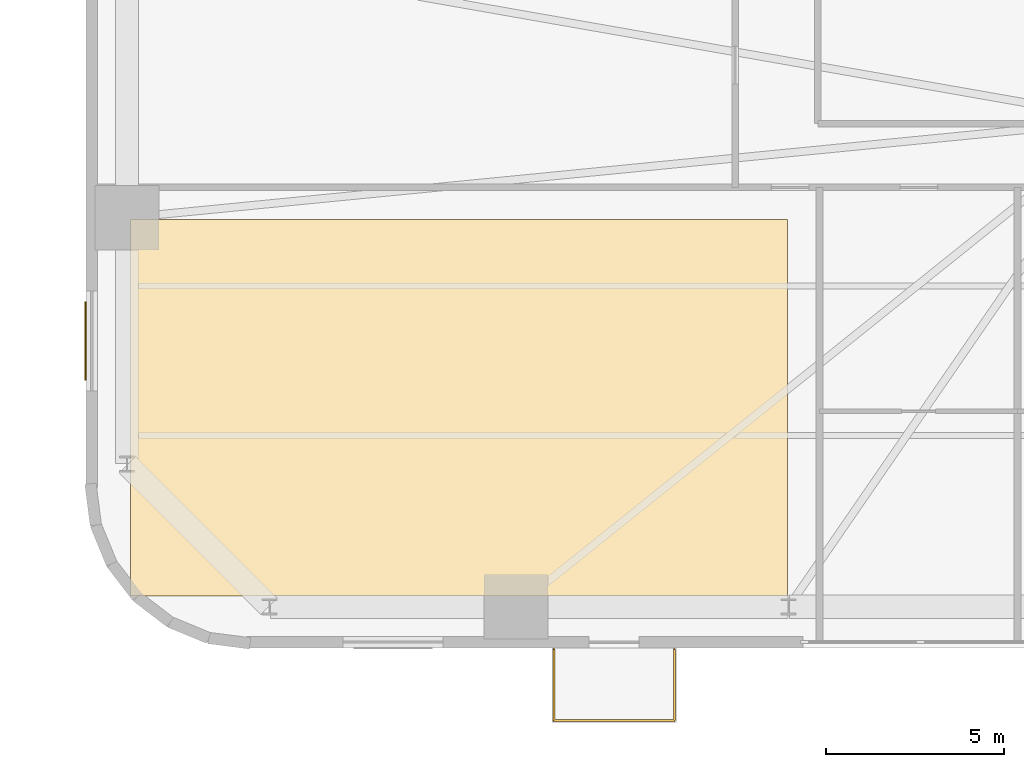
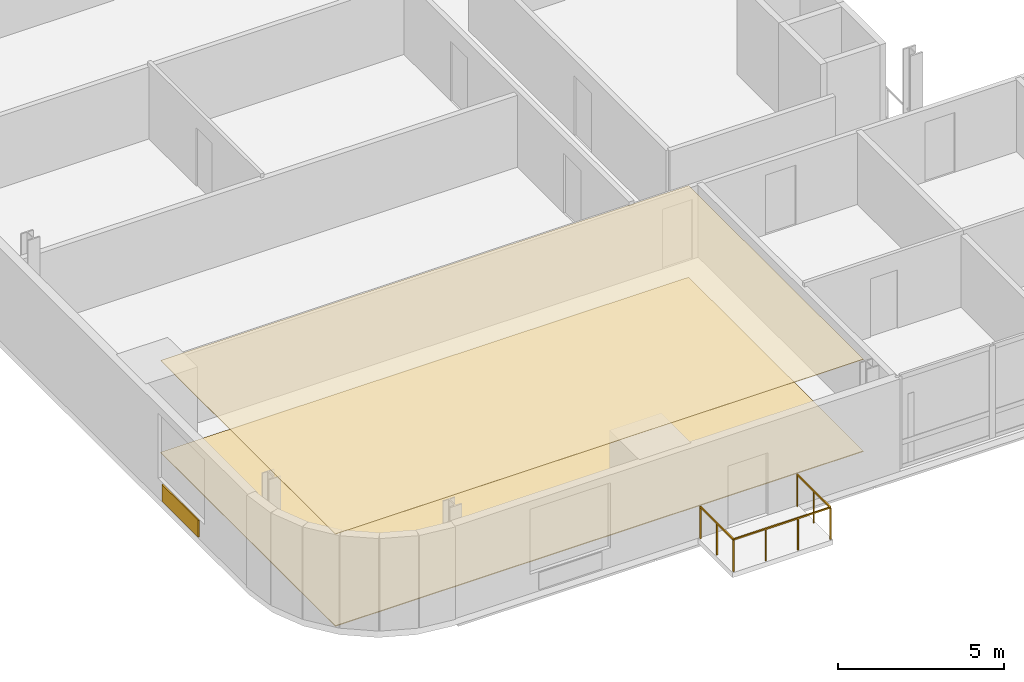
# One storey, part 10 of 13: 3 coverings, 1 railing.
"""IFC4 building model written with IfcOpenShell, lengths in metres."""

from ifc_helpers import new_model, si_unit, direction, frame, origin, origin_2d, place, context, subcontext, project, spatial, polyline, rectangle, outline, extrude, source, transform, mapped, material, layer, layer_set, type_object, element, save


model = new_model("IFC4")

# Units and contexts
model_context = context("Model", 3, precision=1e-05, world=origin(), true_north=direction((0.0, 1.0)))
body_context = subcontext(model_context, "Body", "Model", "MODEL_VIEW")
ifc_project = project(units=[si_unit("LENGTHUNIT", "METRE"), si_unit("AREAUNIT", "SQUARE_METRE"), si_unit("VOLUMEUNIT", "CUBIC_METRE"), si_unit("PLANEANGLEUNIT", "RADIAN"), si_unit("MASSUNIT", "GRAM", prefix="KILO")], contexts=[model_context])

# Site, building, storey
site_placement = place(None, origin())
site = spatial("IfcSite", under=ifc_project, at=site_placement, CompositionType="ELEMENT")
building_placement = place(site_placement, origin())
building = spatial("IfcBuilding", under=site, at=building_placement, Name="Vardaveli Station Tower", CompositionType="ELEMENT")
storey_placement = place(building_placement, frame((0.0, 0.0, 71.39990234375)))
storey = spatial("IfcBuildingStorey", under=building, at=storey_placement, Name="L18", CompositionType="ELEMENT", Elevation=71.39990234375)

# Coverings
ifc_material_1 = material(Name="Perforated acoustic mineral ceiling")
ifc_layer_1 = layer(ifc_material_1, 0.02001953125, Name="Perforated acoustic mineral ceiling")
ifc_layer_set_1 = layer_set([ifc_layer_1], Name="Perforated acoustic mineral ceiling")
covering_type_1 = type_object("IfcCoveringType", Name="COV-CEIL-AC20", PredefinedType="CEILING", material=ifc_layer_set_1)
covering_1_placement = place(storey_placement, frame((0.0, 0.0, 3.39501953125)))
element("IfcCovering", 1, at=covering_1_placement, inside=storey, type_object=covering_type_1, Name="CEIL-L18-1", PredefinedType="CEILING", context=body_context, shape_type="SweptSolid", body=[
    extrude(outline(polyline([(3.35009765625, 3.25), (21.77001953125, 3.25), (21.77001953125, 13.81005859375), (3.35009765625, 13.81005859375), (3.35009765625, 3.25)])), origin(), (0.0, 0.0, 1.0), 0.02001953125),
])
ifc_material_2 = material(Name="Honed Caucasian basalt and travertine flooring", Category="masonry")
ifc_layer_2 = layer(ifc_material_2, 0.030029296875, Name="Honed Caucasian basalt and travertine flooring")
ifc_layer_set_2 = layer_set([ifc_layer_2], Name="Honed Caucasian basalt and travertine flooring")
covering_type_2 = type_object("IfcCoveringType", Name="COV-FLOOR-ST30", PredefinedType="FLOORING", material=ifc_layer_set_2)
covering_2_placement = place(storey_placement, origin())
element("IfcCovering", 2, at=covering_2_placement, inside=storey, type_object=covering_type_2, Name="FLR-L18-1", PredefinedType="FLOORING", context=body_context, shape_type="SweptSolid", body=[
    extrude(outline(polyline([(3.35009765625, 3.25), (21.77001953125, 3.25), (21.77001953125, 13.81005859375), (3.35009765625, 13.81005859375), (3.35009765625, 3.25)])), origin(), (0.0, 0.0, 1.0), 0.030029296875),
])
ifc_material_3 = material(Name="Ventilated honed travertine stone cladding", Category="masonry")
ifc_layer_3 = layer(ifc_material_3, 0.044921875, Name="Ventilated honed travertine stone cladding")
ifc_layer_set_3 = layer_set([ifc_layer_3], Name="Ventilated honed travertine stone cladding")
covering_type_3 = type_object("IfcCoveringType", Name="COV-CLAD-TR45", PredefinedType="CLADDING", material=ifc_layer_set_3)
shared_shape_1 = source(origin(), body_context, "Body", "SweptSolid", [
    extrude(rectangle(XDim=2.199951171875, YDim=0.044921875, at=origin_2d()), origin(), (0.0, 0.0, 1.0), 0.6201171875),
])
covering_3_placement = place(storey_placement, frame((2.08544921875, 10.405029296875, 0.070068359375), z_axis=(0.0, 0.0, 1.0), x_axis=(0.0, 1.0, 0.0)))
element("IfcCovering", 3, at=covering_3_placement, inside=storey, type_object=covering_type_3, Name="CLD-TR-L18-W", PredefinedType="CLADDING", context=body_context, shape_type="MappedRepresentation", body=[
    mapped(shared_shape_1, transform((0.0, 0.0, 0.0), scale=1.0)),
])

# Railing
ifc_material_4 = material(Name="Laminated glass and stainless steel balustrade", Category="steel")
railing_type = type_object("IfcRailingType", Name="RL-BAL-1200", PredefinedType="BALUSTRADE", material=ifc_material_4)
shared_shape_2 = source(origin(), body_context, "Body", "SweptSolid", [
    extrude(rectangle(XDim=0.048095703125, YDim=0.048095703125, at=origin_2d()), frame((0.0, 0.0, 1.17578125), z_axis=(0.0, -1.0, 0.0), x_axis=(1.0, 0.0, 0.0)), (0.0, 0.0, 1.0), 2.0),
    extrude(rectangle(XDim=0.048095703125, YDim=0.048095703125, at=origin_2d()), frame((0.0, -2.0, 1.17578125), z_axis=(1.0, 0.0, 0.0), x_axis=(0.0, 1.0, 0.0)), (0.0, 0.0, 1.0), 3.3798828125),
    extrude(rectangle(XDim=0.048095703125, YDim=0.048095703125, at=origin_2d()), frame((3.3798828125, -2.0, 1.17578125), z_axis=(0.0, 1.0, 0.0), x_axis=(-1.0, 0.0, 0.0)), (0.0, 0.0, 1.0), 2.0),
    extrude(rectangle(XDim=0.0419921875, YDim=0.0419921875, at=origin_2d()), origin(), (0.0, 0.0, 1.0), 1.15185546875),
    extrude(rectangle(XDim=0.0419921875, YDim=0.0419921875, at=origin_2d()), frame((0.0, -1.0, 0.0)), (0.0, 0.0, 1.0), 1.15185546875),
    extrude(rectangle(XDim=0.0419921875, YDim=0.0419921875, at=origin_2d()), frame((0.0, -2.0, 0.0)), (0.0, 0.0, 1.0), 1.15185546875),
    extrude(rectangle(XDim=0.0419921875, YDim=0.0419921875, at=origin_2d()), frame((1.126708984375, -2.0, 0.0)), (0.0, 0.0, 1.0), 1.15185546875),
    extrude(rectangle(XDim=0.0419921875, YDim=0.0419921875, at=origin_2d()), frame((2.253173828125, -2.0, 0.0)), (0.0, 0.0, 1.0), 1.15185546875),
    extrude(rectangle(XDim=0.0419921875, YDim=0.0419921875, at=origin_2d()), frame((3.3798828125, -2.0, 0.0)), (0.0, 0.0, 1.0), 1.15185546875),
    extrude(rectangle(XDim=0.0419921875, YDim=0.0419921875, at=origin_2d()), frame((3.3798828125, -1.0, 0.0)), (0.0, 0.0, 1.0), 1.15185546875),
    extrude(rectangle(XDim=0.0419921875, YDim=0.0419921875, at=origin_2d()), frame((3.3798828125, 0.0, 0.0)), (0.0, 0.0, 1.0), 1.15185546875),
])
railing_placement = place(storey_placement, frame((15.220458984375, 1.760009765625, 0.0)))
element("IfcRailing", 4, at=railing_placement, inside=storey, type_object=railing_type, Name="RL-LOG-L18-01", PredefinedType="BALUSTRADE", context=body_context, shape_type="MappedRepresentation", body=[
    mapped(shared_shape_2, transform((0.0, 0.0, 0.0), scale=1.0)),
])

save(model, "model.ifc")
